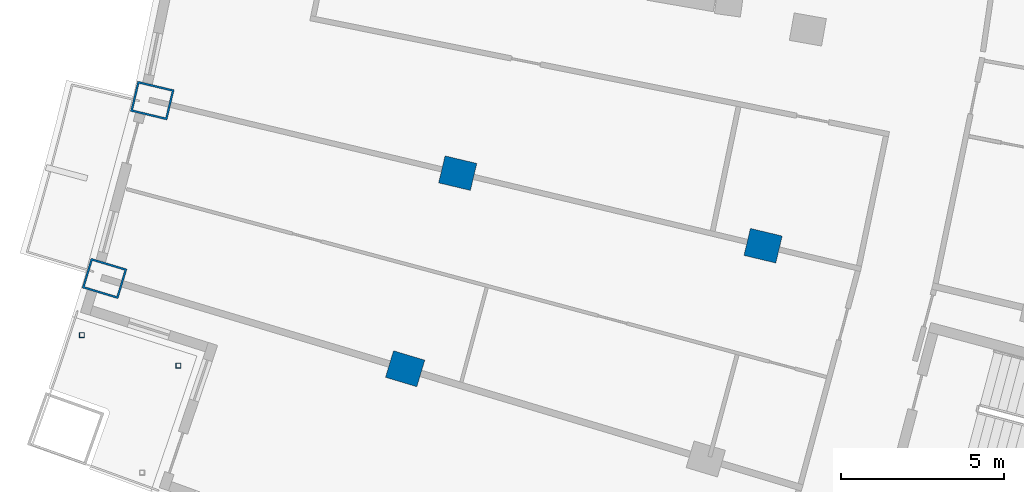
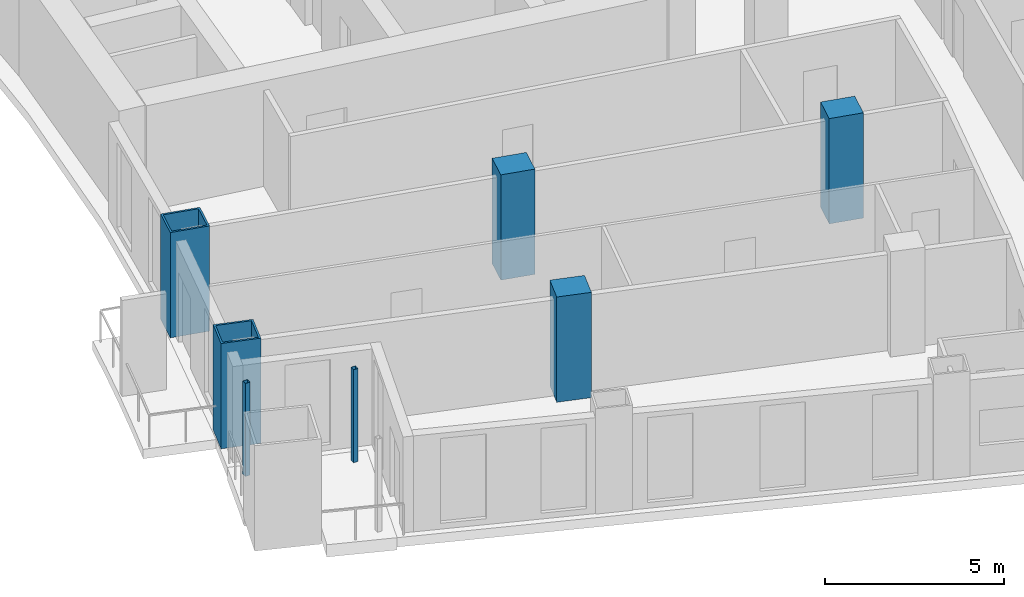
# One storey, part 3 of 25: 7 columns.
"""IFC4 building model written with IfcOpenShell, lengths in metres."""

from ifc_helpers import new_model, si_unit, direction, frame, origin, origin_2d, place, context, subcontext, project, spatial, rectangle, hollow_rectangle, extrude, material, material_profile, profile_set, type_object, element, save


model = new_model("IFC4")

# Units and contexts
model_context = context("Model", 3, precision=1e-05, world=origin(), true_north=direction((0.0, 1.0)))
body_context = subcontext(model_context, "Body", "Model", "MODEL_VIEW")
ifc_project = project(units=[si_unit("LENGTHUNIT", "METRE"), si_unit("AREAUNIT", "SQUARE_METRE"), si_unit("VOLUMEUNIT", "CUBIC_METRE"), si_unit("PLANEANGLEUNIT", "RADIAN"), si_unit("MASSUNIT", "GRAM", prefix="KILO")], contexts=[model_context])

# Site, building, storey
site_placement = place(None, origin())
site = spatial("IfcSite", under=ifc_project, at=site_placement, CompositionType="ELEMENT")
building_placement = place(site_placement, origin())
building = spatial("IfcBuilding", under=site, at=building_placement, Name="Alderwake Tower", CompositionType="ELEMENT")
storey_placement = place(building_placement, frame((0.0, 0.0, 86.0)))
storey = spatial("IfcBuildingStorey", under=building, at=storey_placement, Name="L20", CompositionType="ELEMENT", Elevation=86.0)

# Columns
ifc_material_1 = material(Name="Concrete C70/85", Category="concrete")
ifc_material_profile_1 = material_profile(ifc_material_1, rectangle(XDim=0.85009765625, YDim=1.0, at=origin_2d()), Name="RC 1000X850")
ifc_profile_set_1 = profile_set([ifc_material_profile_1], Name="Concrete C70/85")
column_type_1 = type_object("IfcColumnType", Name="Interior column Z2", PredefinedType="COLUMN", material=ifc_profile_set_1)
for number, where, z_axis, x_axis, name in (
    (1, (21.714599609375, 30.46240234375, 0.0), (0.0, 0.0, 1.0), (0.287549418125, 0.957765802342, 0.0), "Column R02-C1"),
    (2, (23.322021484375, 36.444091796875, 0.0), (0.0, 0.0, 1.0), (0.231221547198, 0.972901123502, 0.0), "Column R03-C1"),
    (3, (32.661865234375, 34.224609375, 0.0), (0.0, 0.0, 1.0), (0.231221547198, 0.972901123502, 0.0), "Column R03-C2"),
):
    element("IfcColumn", number, at=place(storey_placement, frame(where, z_axis=z_axis, x_axis=x_axis)), inside=storey, type_object=column_type_1, Name=name, PredefinedType="COLUMN", context=body_context, shape_type="SweptSolid", body=[
        extrude(rectangle(XDim=0.85009765625, YDim=1.0, at=origin_2d()), origin(), (0.0, 0.0, 1.0), 3.60009765625),
    ])
ifc_material_2 = material(Name="Steel ASTM A500 Grade C", Category="steel")
ifc_material_profile_2 = material_profile(ifc_material_2, hollow_rectangle(XDim=0.15234375, YDim=0.15234375, WallThickness=0.0087890625, at=origin_2d()), Name="HSS6X6X3/8")
ifc_profile_set_2 = profile_set([ifc_material_profile_2], Name="Steel ASTM A500 Grade C")
column_type_2 = type_object("IfcColumnType", Name="Light post HSS6X6X3/8", PredefinedType="COLUMN", material=ifc_profile_set_2)
for number, where, z_axis, x_axis, name in (
    (4, (11.82568359375, 31.492919921875, 0.0), (0.0, 0.0, 1.0), (1.0, 0.0, 0.0), "Terrace post RS1"),
    (5, (14.781494140625, 30.558349609375, 0.0), (0.0, 0.0, 1.0), (1.0, 0.0, 0.0), "Terrace post RS3"),
):
    element("IfcColumn", number, at=place(storey_placement, frame(where, z_axis=z_axis, x_axis=x_axis)), inside=storey, type_object=column_type_2, Name=name, PredefinedType="COLUMN", context=body_context, shape_type="SweptSolid", body=[
        extrude(hollow_rectangle(XDim=0.15234375, YDim=0.15234375, WallThickness=0.0087890625, at=origin_2d()), origin(), (0.0, 0.0, 1.0), 3.179931640625),
    ])
ifc_material_3 = material(Name="Steel ASTM A572 Grade 50 concrete filled C70/85", Category="concrete")
ifc_material_profile_3 = material_profile(ifc_material_3, hollow_rectangle(XDim=0.949951171875, YDim=1.14990234375, WallThickness=0.06005859375, at=origin_2d()), Name="BOX 1150X950X60")
ifc_profile_set_3 = profile_set([ifc_material_profile_3], Name="Steel ASTM A572 Grade 50 concrete filled C70/85")
column_type_3 = type_object("IfcColumnType", Name="Perimeter column Z2", PredefinedType="COLUMN", material=ifc_profile_set_3)
for number, where, z_axis, x_axis, name in (
    (6, (12.520263671875, 33.222900390625, 0.0), (0.0, 0.0, 1.0), (0.287549418125, 0.957765802342, 0.0), "Column R02-C0"),
    (7, (13.982177734375, 38.6640625, 0.0), (0.0, 0.0, 1.0), (0.231221547198, 0.972901123502, 0.0), "Column R03-C0"),
):
    element("IfcColumn", number, at=place(storey_placement, frame(where, z_axis=z_axis, x_axis=x_axis)), inside=storey, type_object=column_type_3, Name=name, PredefinedType="COLUMN", context=body_context, shape_type="SweptSolid", body=[
        extrude(hollow_rectangle(XDim=0.949951171875, YDim=1.14990234375, WallThickness=0.06005859375, at=origin_2d()), origin(), (0.0, 0.0, 1.0), 3.60009765625),
    ])

save(model, "model.ifc")
